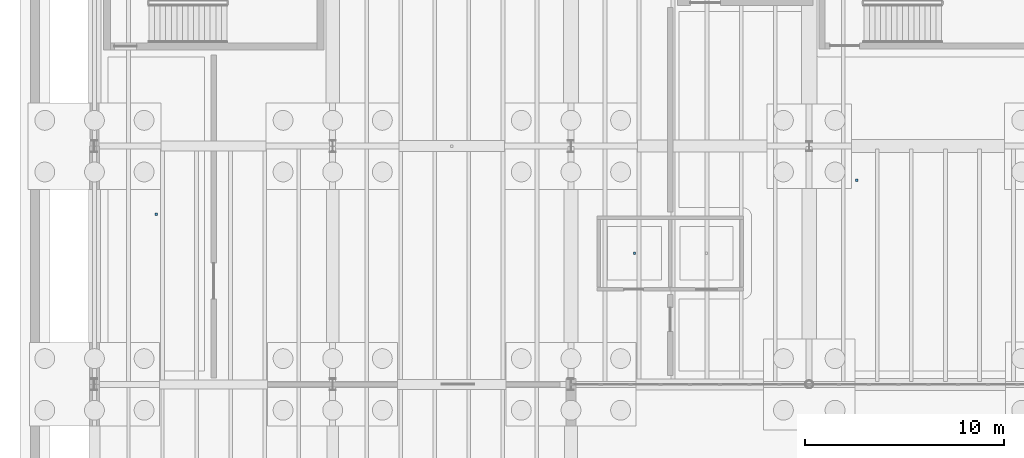
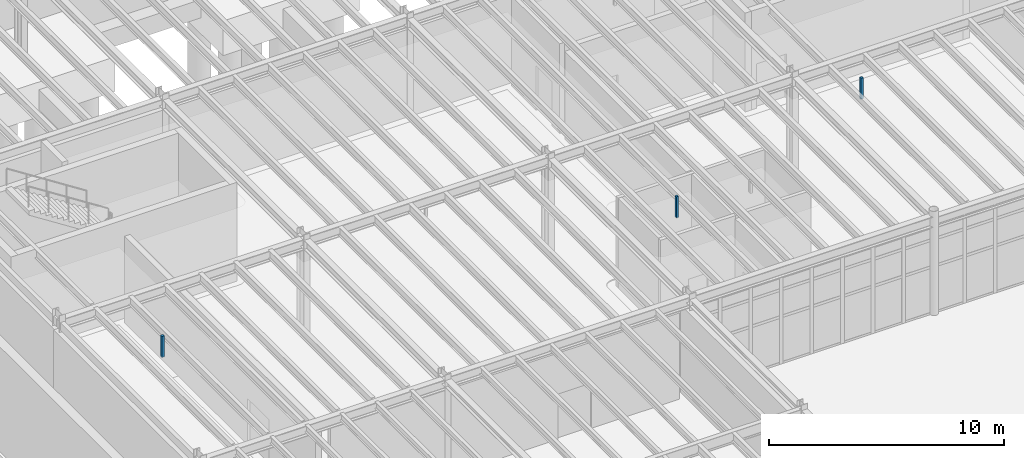
# One storey, part 43 of 67: 3 discrete accessories.
"""IFC4 building model written with IfcOpenShell, lengths in metres."""

from ifc_helpers import new_model, si_unit, direction, frame, origin, origin_2d, place, context, subcontext, project, spatial, rectangle, extrude, material, type_object, element, save


model = new_model("IFC4")

# Units and contexts
model_context = context("Model", 3, precision=1e-05, world=origin(), true_north=direction((0.0, 1.0)))
body_context = subcontext(model_context, "Body", "Model", "MODEL_VIEW")
ifc_project = project(units=[si_unit("LENGTHUNIT", "METRE"), si_unit("AREAUNIT", "SQUARE_METRE"), si_unit("VOLUMEUNIT", "CUBIC_METRE"), si_unit("PLANEANGLEUNIT", "RADIAN"), si_unit("MASSUNIT", "GRAM", prefix="KILO")], contexts=[model_context])

# Site, building, storey
site_placement = place(None, origin())
site = spatial("IfcSite", under=ifc_project, at=site_placement, CompositionType="ELEMENT")
building_placement = place(site_placement, origin())
building = spatial("IfcBuilding", under=site, at=building_placement, Name="Zlatogorsky Bluff Art Gallery", CompositionType="ELEMENT")
storey_placement = place(building_placement, frame((0.0, 0.0, -5.39990234375)))
storey = spatial("IfcBuildingStorey", under=building, at=storey_placement, Name="B1", CompositionType="ELEMENT", Elevation=-5.39990234375)

# Discrete accessories
ifc_material = material(Name="Steel S355", Category="steel")
discrete_accessory_type = type_object("IfcDiscreteAccessoryType", Name="Stainless Facade Fin Bracket BRK-01", PredefinedType="BRACKET", material=ifc_material)
for number, where, z_axis, x_axis, name in (
    (1, (27.199951171875, 90.60009765625, 4.0546875), (0.0, 0.0, 1.0), (1.0, 0.0, 0.0), "Acoustic ceiling suspension hanger B1-WC"),
    (2, (3.110107421875, 92.580078125, 4.0546875), (0.0, 0.0, 1.0), (1.0, 0.0, 0.0), "Acoustic ceiling suspension hanger B1-S1-11"),
    (3, (38.389892578125, 94.284912109375, 4.0546875), (0.0, 0.0, 1.0), (1.0, 0.0, 0.0), "Acoustic ceiling suspension hanger B1-S1-13"),
):
    element("IfcDiscreteAccessory", number, at=place(storey_placement, frame(where, z_axis=z_axis, x_axis=x_axis)), inside=storey, type_object=discrete_accessory_type, Name=name, PredefinedType="BRACKET", context=body_context, shape_type="SweptSolid", body=[
        extrude(rectangle(XDim=0.1201171875, YDim=0.1201171875, at=origin_2d()), origin(), (0.0, 0.0, 1.0), 1.090087890625),
    ])

save(model, "model.ifc")
